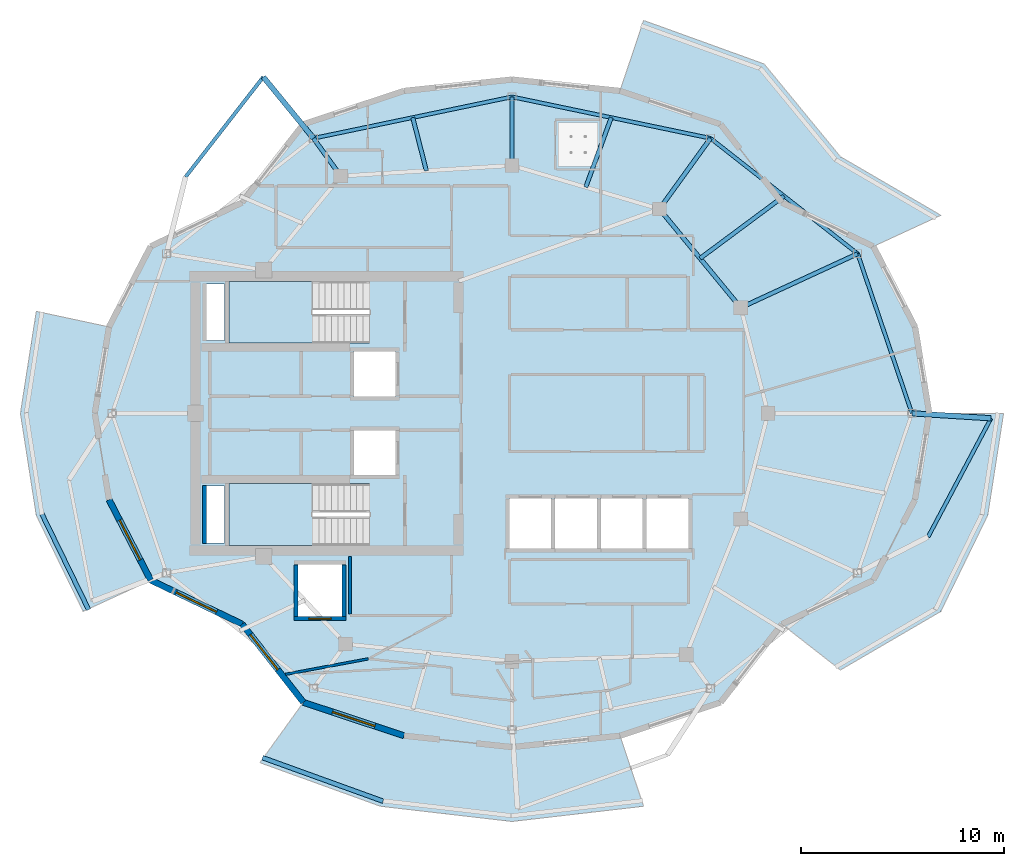
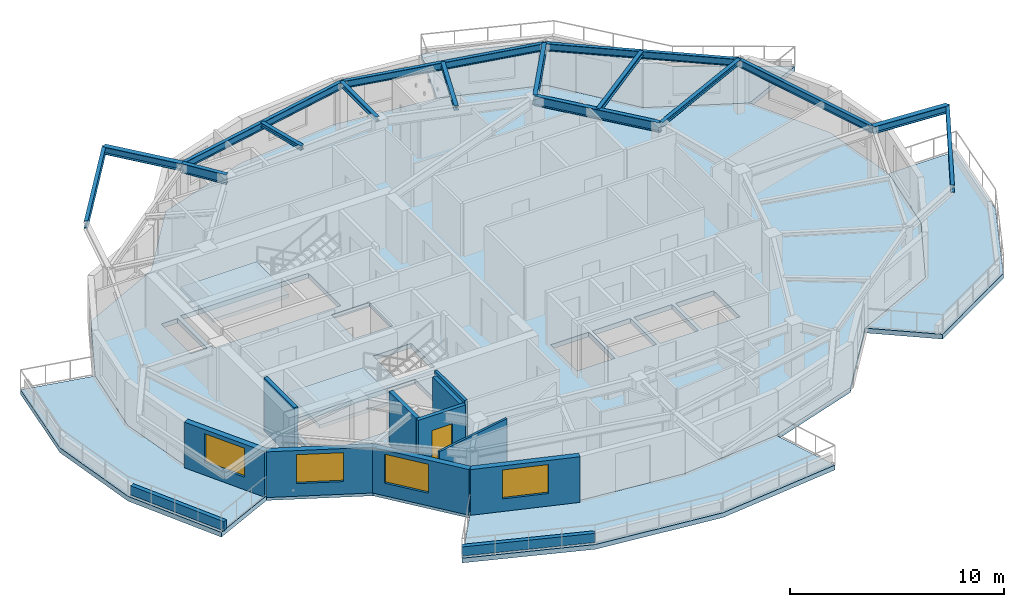
# One storey, part 2 of 11: 16 beams, 12 walls, 7 slabs, 4 windows, 1 door, 5 openings, 2 elements without a shape of their own.
"""IFC4 building model written with IfcOpenShell, lengths in metres."""

from ifc_helpers import new_model, si_unit, direction, frame, frame_2d, origin, origin_2d, place, context, subcontext, project, spatial, polyline, rectangle, i_section, outline, extrude, material, layer, layer_set, material_profile, profile_set, type_object, element, fill, aggregate, save


model = new_model("IFC4")

# Units and contexts
model_context = context("Model", 3, precision=1e-05, world=origin(), true_north=direction((0.0, 1.0)))
body_context = subcontext(model_context, "Body", "Model", "MODEL_VIEW")
ifc_project = project(units=[si_unit("LENGTHUNIT", "METRE"), si_unit("AREAUNIT", "SQUARE_METRE"), si_unit("VOLUMEUNIT", "CUBIC_METRE"), si_unit("PLANEANGLEUNIT", "RADIAN"), si_unit("MASSUNIT", "GRAM", prefix="KILO")], contexts=[model_context])

# Site, building, storey
site_placement = place(None, origin())
site = spatial("IfcSite", under=ifc_project, at=site_placement, CompositionType="ELEMENT")
building_placement = place(site_placement, origin())
building = spatial("IfcBuilding", under=site, at=building_placement, Name="Kolvaren Gate Tower and Convention Centre", CompositionType="ELEMENT")
storey_placement = place(building_placement, frame((0.0, 0.0, 269.0)))
storey = spatial("IfcBuildingStorey", under=building, at=storey_placement, Name="L73", CompositionType="ELEMENT", Elevation=269.0)

# Beams
ifc_material_1 = material(Name="Structural steel ASTM A992 Grade 345 MPa", Category="steel")
ifc_material_profile_1 = material_profile(ifc_material_1, i_section(OverallWidth=0.260009765625, OverallDepth=0.419921875, WebThickness=0.013427734375, FlangeThickness=0.0224609375, at=origin_2d()), Name="W410X132")
ifc_profile_set_1 = profile_set([ifc_material_profile_1], Name="Structural steel ASTM A992 Grade 345 MPa")
beam_type_1 = type_object("IfcBeamType", Name="STR-BM-W410X132", PredefinedType="BEAM", material=ifc_profile_set_1)
beam_1_placement = place(storey_placement, frame((20.356689453125, 40.53515625, 2.820556640625), z_axis=(-0.633305964055, 0.773901515629, 0.0), x_axis=(-0.773901515629, -0.633305964055, 0.0)))
element("IfcBeam", 1, at=beam_1_placement, inside=storey, type_object=beam_type_1, Name="Tower L74 Planted Balcony Outrigger Cantilever BC-1A", PredefinedType="BEAM", context=body_context, shape_type="SweptSolid", body=[
    extrude(i_section(OverallWidth=0.260009765625, OverallDepth=0.419921875, WebThickness=0.013427734375, FlangeThickness=0.0224609375, at=origin_2d()), origin(), (0.0, 0.0, 1.0), 3.900146484375),
])
beam_2_placement = place(storey_placement, frame((49.80615234375, 27.0, 2.820556640625), z_axis=(0.998046484143, -0.062475719198, 0.0), x_axis=(0.062475719198, 0.998046484143, 0.0)))
element("IfcBeam", 2, at=beam_2_placement, inside=storey, type_object=beam_type_1, Name="Tower L74 Planted Balcony Outrigger Cantilever BC-4B", PredefinedType="BEAM", context=body_context, shape_type="SweptSolid", body=[
    extrude(i_section(OverallWidth=0.260009765625, OverallDepth=0.419921875, WebThickness=0.013427734375, FlangeThickness=0.0224609375, at=origin_2d()), origin(), (0.0, 0.0, 1.0), 3.89990234375),
])
ifc_material_profile_2 = material_profile(ifc_material_1, i_section(OverallWidth=0.2119140625, OverallDepth=0.5439453125, WebThickness=0.01318359375, FlangeThickness=0.021240234375, at=origin_2d()), Name="W530X123")
ifc_profile_set_2 = profile_set([ifc_material_profile_2], Name="Structural steel ASTM A992 Grade 345 MPa")
beam_type_2 = type_object("IfcBeamType", Name="STR-BM-W530X123", PredefinedType="BEAM", material=ifc_profile_set_2)
beam_3_placement = place(storey_placement, frame((41.382080078125, 32.199462890625, 2.758056640625), z_axis=(-0.635884066011, 0.771784590798, 0.0), x_axis=(-0.771784590798, -0.635884066011, 0.0)))
element("IfcBeam", 3, at=beam_3_placement, inside=storey, type_object=beam_type_2, Name="Tower L73 Primary Ring Girder G-02", PredefinedType="BEAM", context=body_context, shape_type="SweptSolid", body=[
    extrude(i_section(OverallWidth=0.2119140625, OverallDepth=0.5439453125, WebThickness=0.01318359375, FlangeThickness=0.021240234375, at=origin_2d()), origin(), (0.0, 0.0, 1.0), 6.291259765625),
])
beam_4_placement = place(storey_placement, frame((37.381591796875, 37.054931640625, 2.758056640625), z_axis=(0.585218448818, 0.810875679228, 0.0), x_axis=(-0.810875679228, 0.585218448818, 0.0)))
element("IfcBeam", 4, at=beam_4_placement, inside=storey, type_object=beam_type_2, Name="Tower L73 Radial Floor Girder RB-03", PredefinedType="BEAM", context=body_context, shape_type="SweptSolid", body=[
    extrude(i_section(OverallWidth=0.2119140625, OverallDepth=0.5439453125, WebThickness=0.01318359375, FlangeThickness=0.021240234375, at=origin_2d()), origin(), (0.0, 0.0, 1.0), 4.2919921875),
])
beam_5_placement = place(storey_placement, frame((21.697998046875, 38.6767578125, 2.758056640625), z_axis=(-0.585241610653, 0.810858962558, 0.0), x_axis=(-0.810858962558, -0.585241610653, 0.0)))
element("IfcBeam", 5, at=beam_5_placement, inside=storey, type_object=beam_type_2, Name="Tower L73 Radial Floor Girder RB-05", PredefinedType="BEAM", context=body_context, shape_type="SweptSolid", body=[
    extrude(i_section(OverallWidth=0.2119140625, OverallDepth=0.5439453125, WebThickness=0.01318359375, FlangeThickness=0.021240234375, at=origin_2d()), origin(), (0.0, 0.0, 1.0), 2.2919921875),
])
ifc_material_profile_3 = material_profile(ifc_material_1, i_section(OverallWidth=0.202880859375, OverallDepth=0.251953125, WebThickness=0.008056640625, FlangeThickness=0.013427734375, at=origin_2d()), Name="W250X58")
ifc_profile_set_3 = profile_set([ifc_material_profile_3], Name="Structural steel ASTM A992 Grade 345 MPa")
beam_type_3 = type_object("IfcBeamType", Name="STR-JS-W250X58", PredefinedType="JOIST", material=ifc_profile_set_3)
beam_6_placement = place(storey_placement, frame((41.382080078125, 32.199462890625, 2.904052734375), z_axis=(0.907833025456, 0.41933184698, 0.0), x_axis=(-0.41933184698, 0.907833025456, 0.0)))
element("IfcBeam", 6, at=beam_6_placement, inside=storey, type_object=beam_type_3, Name="Tower L73 Radial Floor Girder RB-02", PredefinedType="JOIST", context=body_context, shape_type="SweptSolid", body=[
    extrude(i_section(OverallWidth=0.202880859375, OverallDepth=0.251953125, WebThickness=0.008056640625, FlangeThickness=0.013427734375, at=origin_2d()), origin(), (0.0, 0.0, 1.0), 6.335693359375),
])
beam_7_placement = place(storey_placement, frame((30.125, 39.199951171875, 2.904052734375), z_axis=(0.0, 1.0, 0.0), x_axis=(-1.0, 0.0, 0.0)))
element("IfcBeam", 7, at=beam_7_placement, inside=storey, type_object=beam_type_3, Name="Tower L73 Radial Floor Girder RB-04", PredefinedType="JOIST", context=body_context, shape_type="SweptSolid", body=[
    extrude(i_section(OverallWidth=0.202880859375, OverallDepth=0.251953125, WebThickness=0.008056640625, FlangeThickness=0.013427734375, at=origin_2d()), origin(), (0.0, 0.0, 1.0), 3.375),
])
beam_8_placement = place(storey_placement, frame((39.3818359375, 34.627197265625, 2.904052734375), z_axis=(0.802797696216, 0.596251506455, 0.0), x_axis=(-0.596251506455, 0.802797696216, 0.0)))
element("IfcBeam", 8, at=beam_8_placement, inside=storey, type_object=beam_type_3, Name="Tower L73 Secondary Composite Floor Joist J-02.1", PredefinedType="JOIST", context=body_context, shape_type="SweptSolid", body=[
    extrude(i_section(OverallWidth=0.202880859375, OverallDepth=0.251953125, WebThickness=0.008056640625, FlangeThickness=0.013427734375, at=origin_2d()), origin(), (0.0, 0.0, 1.0), 5.146484375),
])
beam_9_placement = place(storey_placement, frame((33.75341796875, 38.12744140625, 2.904052734375), z_axis=(0.343959865764, 0.938984350638, 0.0), x_axis=(-0.938984350638, 0.343959865764, 0.0)))
element("IfcBeam", 9, at=beam_9_placement, inside=storey, type_object=beam_type_3, Name="Tower L73 Secondary Composite Floor Joist J-03.1", PredefinedType="JOIST", context=body_context, shape_type="SweptSolid", body=[
    extrude(i_section(OverallWidth=0.202880859375, OverallDepth=0.251953125, WebThickness=0.008056640625, FlangeThickness=0.013427734375, at=origin_2d()), origin(), (0.0, 0.0, 1.0), 3.650390625),
])
beam_10_placement = place(storey_placement, frame((25.91162109375, 38.938232421875, 2.904052734375), z_axis=(-0.248251414505, 0.968695635995, 0.0), x_axis=(-0.968695635995, -0.248251414505, 0.0)))
element("IfcBeam", 10, at=beam_10_placement, inside=storey, type_object=beam_type_3, Name="Tower L73 Secondary Composite Floor Joist J-04.1", PredefinedType="JOIST", context=body_context, shape_type="SweptSolid", body=[
    extrude(i_section(OverallWidth=0.202880859375, OverallDepth=0.251953125, WebThickness=0.008056640625, FlangeThickness=0.013427734375, at=origin_2d()), origin(), (0.0, 0.0, 1.0), 2.701416015625),
])
ifc_material_profile_4 = material_profile(ifc_material_1, i_section(OverallWidth=0.180908203125, OverallDepth=0.4169921875, WebThickness=0.010986328125, FlangeThickness=0.018310546875, at=origin_2d()), Name="W410X85")
ifc_profile_set_4 = profile_set([ifc_material_profile_4], Name="Structural steel ASTM A992 Grade 345 MPa")
beam_type_4 = type_object("IfcBeamType", Name="STR-SP-W410X85", PredefinedType="SPANDREL", material=ifc_profile_set_4)
beam_11_placement = place(storey_placement, frame((49.80615234375, 27.0, 2.821533203125), z_axis=(-0.322038282171, 0.946726647357, 0.0), x_axis=(-0.946726647357, -0.322038282171, 0.0)))
element("IfcBeam", 11, at=beam_11_placement, inside=storey, type_object=beam_type_4, Name="Tower L73 Perimeter Spandrel Beam SP-01", PredefinedType="SPANDREL", context=body_context, shape_type="SweptSolid", body=[
    extrude(i_section(OverallWidth=0.180908203125, OverallDepth=0.4169921875, WebThickness=0.010986328125, FlangeThickness=0.018310546875, at=origin_2d()), origin(), (0.0, 0.0, 1.0), 8.29833984375),
])
beam_12_placement = place(storey_placement, frame((47.1337890625, 34.856201171875, 2.821533203125), z_axis=(-0.786845586039, 0.61714991998, 0.0), x_axis=(-0.61714991998, -0.786845586039, 0.0)))
element("IfcBeam", 12, at=beam_12_placement, inside=storey, type_object=beam_type_4, Name="Tower L73 Perimeter Spandrel Beam SP-02", PredefinedType="SPANDREL", context=body_context, shape_type="SweptSolid", body=[
    extrude(i_section(OverallWidth=0.180908203125, OverallDepth=0.4169921875, WebThickness=0.010986328125, FlangeThickness=0.018310546875, at=origin_2d()), origin(), (0.0, 0.0, 1.0), 9.201904296875),
])
for number, where, z_axis, x_axis, name in (
    (13, (39.893310546875, 40.53515625, 2.821533203125), (-0.978885668593, 0.204408531681, 0.0), (-0.204408531681, -0.978885668593, 0.0), "Tower L73 Perimeter Spandrel Beam SP-03"),
    (14, (30.125, 42.574951171875, 2.821533203125), (-0.978885668593, -0.204408531681, 0.0), (0.204408531681, -0.978885668593, 0.0), "Tower L73 Perimeter Spandrel Beam SP-04"),
):
    element("IfcBeam", number, at=place(storey_placement, frame(where, z_axis=z_axis, x_axis=x_axis)), inside=storey, type_object=beam_type_4, Name=name, PredefinedType="SPANDREL", context=body_context, shape_type="SweptSolid", body=[
        extrude(i_section(OverallWidth=0.180908203125, OverallDepth=0.4169921875, WebThickness=0.010986328125, FlangeThickness=0.018310546875, at=origin_2d()), origin(), (0.0, 0.0, 1.0), 9.97900390625),
    ])
beam_13_placement = place(storey_placement, frame((17.88671875, 43.553466796875, 2.822021484375), z_axis=(-0.613992191964, -0.7893120981, 0.0), x_axis=(0.7893120981, -0.613992191964, 0.0)))
element("IfcBeam", 15, at=beam_13_placement, inside=storey, type_object=beam_type_4, Name="Tower L74 Planted Balcony Header Tie Beam BT-1", PredefinedType="SPANDREL", context=body_context, shape_type="SweptSolid", body=[
    extrude(i_section(OverallWidth=0.180908203125, OverallDepth=0.4169921875, WebThickness=0.010986328125, FlangeThickness=0.018310546875, at=origin_2d()), origin(), (0.0, 0.0, 1.0), 6.22607421875),
])
beam_14_placement = place(storey_placement, frame((50.60400390625, 20.923828125, 2.822021484375), z_axis=(0.468677532084, 0.883369328718, 0.0), x_axis=(-0.883369328718, 0.468677532084, 0.0)))
element("IfcBeam", 16, at=beam_14_placement, inside=storey, type_object=beam_type_4, Name="Tower L74 Planted Balcony Header Tie Beam BT-4", PredefinedType="SPANDREL", context=body_context, shape_type="SweptSolid", body=[
    extrude(i_section(OverallWidth=0.180908203125, OverallDepth=0.4169921875, WebThickness=0.010986328125, FlangeThickness=0.018310546875, at=origin_2d()), origin(), (0.0, 0.0, 1.0), 6.6025390625),
])

# Slabs
ifc_material_2 = material(Name="Concrete C50/60", Category="concrete")
ifc_layer_1 = layer(ifc_material_2, 0.27001953125)
ifc_layer_set_1 = layer_set([ifc_layer_1], Name="Concrete C50/60")
slab_type_1 = type_object("IfcSlabType", Name="STR-SL-BALC-270", PredefinedType="FLOOR", material=ifc_layer_set_1)
slab_1_placement = place(storey_placement, frame((0.0, 0.0, -0.27001953125)))
element("IfcSlab", 17, at=slab_1_placement, inside=storey, type_object=slab_type_1, Name="Tower L73 Planted Balcony Terrace Slab 1 (North)", PredefinedType="FLOOR", context=body_context, shape_type="SweptSolid", body=[
    extrude(outline(polyline([(47.905517578125, 35.21240234375), (43.40380859375, 37.37548828125), (40.390625, 41.224609375), (35.43896484375, 42.865234375), (36.601318359375, 46.335693359375), (42.532470703125, 44.1923828125), (46.287841796875, 39.62890625), (51.228271484375, 36.747314453125), (47.905517578125, 35.21240234375)])), origin(), (0.0, 0.0, 1.0), 0.27001953125),
])
slab_2_placement = place(storey_placement, frame((0.0, 0.0, -0.27001953125)))
element("IfcSlab", 18, at=slab_2_placement, inside=storey, type_object=slab_type_1, Name="Tower L73 Planted Balcony Terrace Slab 2 (West)", PredefinedType="FLOOR", context=body_context, shape_type="SweptSolid", body=[
    extrude(outline(polyline([(10.293212890625, 31.251220703125), (9.59375, 27.0), (10.293212890625, 22.748779296875), (12.344482421875, 18.78759765625), (9.021728515625, 17.252685546875), (6.714599609375, 21.981689453125), (5.933837890625, 27.0), (6.714599609375, 32.018310546875), (10.293212890625, 31.251220703125)])), origin(), (0.0, 0.0, 1.0), 0.27001953125),
])
slab_3_placement = place(storey_placement, frame((0.0, 0.0, -0.27001953125)))
element("IfcSlab", 19, at=slab_3_placement, inside=storey, type_object=slab_type_1, Name="Tower L73 Planted Balcony Terrace Slab 3 (South)", PredefinedType="FLOOR", context=body_context, shape_type="SweptSolid", body=[
    extrude(outline(polyline([(19.859375, 12.775390625), (24.81103515625, 11.134765625), (30.125, 10.574951171875), (35.43896484375, 11.134765625), (36.601318359375, 7.664306640625), (30.125, 6.9150390625), (23.648681640625, 7.664306640625), (17.717529296875, 9.8076171875), (19.859375, 12.775390625)])), origin(), (0.0, 0.0, 1.0), 0.27001953125),
])
slab_4_placement = place(storey_placement, frame((0.0, 0.0, -0.27001953125)))
element("IfcSlab", 20, at=slab_4_placement, inside=storey, type_object=slab_type_1, Name="Tower L73 Planted Balcony Terrace Slab 4 (East)", PredefinedType="FLOOR", context=body_context, shape_type="SweptSolid", body=[
    extrude(outline(polyline([(43.40380859375, 16.62451171875), (47.905517578125, 18.78759765625), (49.956787109375, 22.748779296875), (50.65625, 27.0), (54.316162109375, 27.0), (53.535400390625, 21.981689453125), (51.228271484375, 17.252685546875), (46.287841796875, 14.37109375), (43.40380859375, 16.62451171875)])), origin(), (0.0, 0.0, 1.0), 0.27001953125),
])
ifc_material_3 = material(Name="Concrete C40/50", Category="concrete")
ifc_layer_2 = layer(ifc_material_3, 0.27001953125)
ifc_layer_set_2 = layer_set([ifc_layer_2], Name="Concrete C40/50")
slab_type_2 = type_object("IfcSlabType", Name="STR-SL-FLR-270", PredefinedType="FLOOR", material=ifc_layer_set_2)
slab_5_placement = place(storey_placement, frame((0.0, 0.0, -0.27001953125)))
element("IfcSlab", 21, at=slab_5_placement, inside=storey, type_object=slab_type_2, Name="Tower L73 Structural Floor Slab", PredefinedType="FLOOR", context=body_context, shape_type="SweptSolid", body=[
    extrude(outline(polyline([(50.65625, 27.0), (49.95654296875, 31.251220703125), (47.905517578125, 35.21240234375), (43.40380859375, 37.37548828125), (40.390625, 41.224609375), (35.43896484375, 42.865234375), (30.125, 43.425048828125), (24.81103515625, 42.865234375), (19.859375, 41.224609375), (16.84619140625, 37.37548828125), (12.344482421875, 35.21240234375), (10.29345703125, 31.251220703125), (9.59375, 27.0), (10.29345703125, 22.748779296875), (12.344482421875, 18.78759765625), (16.84619140625, 16.62451171875), (19.859375, 12.775390625), (24.81103515625, 11.134765625), (30.125, 10.574951171875), (35.43896484375, 11.134765625), (40.390625, 12.775390625), (43.40380859375, 16.62451171875), (47.905517578125, 18.78759765625), (49.95654296875, 22.748779296875), (50.65625, 27.0)]), holes=[polyline([(36.75, 20.35009765625), (36.75, 22.800048828125), (38.800048828125, 22.800048828125), (38.800048828125, 20.35009765625), (36.75, 20.35009765625)]), polyline([(36.550048828125, 20.35009765625), (34.5, 20.35009765625), (34.5, 22.800048828125), (36.550048828125, 22.800048828125), (36.550048828125, 20.35009765625)]), polyline([(32.25, 20.35009765625), (32.25, 22.800048828125), (34.300048828125, 22.800048828125), (34.300048828125, 20.35009765625), (32.25, 20.35009765625)]), polyline([(30.0, 20.35009765625), (30.0, 22.800048828125), (32.050048828125, 22.800048828125), (32.050048828125, 20.35009765625), (30.0, 20.35009765625)]), polyline([(22.35009765625, 23.9599609375), (22.35009765625, 26.159912109375), (24.39990234375, 26.159912109375), (24.39990234375, 23.9599609375), (22.35009765625, 23.9599609375)]), polyline([(22.35009765625, 27.840087890625), (22.35009765625, 30.0400390625), (24.39990234375, 30.0400390625), (24.39990234375, 27.840087890625), (22.35009765625, 27.840087890625)]), polyline([(16.199951171875, 23.5400390625), (23.10009765625, 23.5400390625), (23.10009765625, 20.5), (16.199951171875, 20.5), (16.199951171875, 23.5400390625)]), polyline([(16.199951171875, 33.5), (23.10009765625, 33.5), (23.10009765625, 30.4599609375), (16.199951171875, 30.4599609375), (16.199951171875, 33.5)]), polyline([(21.75, 17.0), (19.60009765625, 17.0), (19.60009765625, 19.550048828125), (21.75, 19.550048828125), (21.75, 17.0)]), polyline([(15.080078125, 30.580078125), (15.080078125, 33.3701171875), (15.969970703125, 33.3701171875), (15.969970703125, 30.580078125), (15.080078125, 30.580078125)]), polyline([(15.969970703125, 20.6298828125), (15.080078125, 20.6298828125), (15.080078125, 23.419921875), (15.969970703125, 23.419921875), (15.969970703125, 20.6298828125)])]), origin(), (0.0, 0.0, 1.0), 0.27001953125),
])

# Stair, slab
stair_type = type_object("IfcStairType", Name="STR-STAIR-CORE", PredefinedType="HALF_TURN_STAIR", material=ifc_material_2)
stair_1_placement = place(storey_placement, origin())
stair_1 = element("IfcStair", 22, at=stair_1_placement, inside=storey, type_object=stair_type, Name="L73 Tower North Exit Stair ST-T1", PredefinedType="HALF_TURN_STAIR")
ifc_layer_3 = layer(ifc_material_2, 0.199951171875)
ifc_layer_set_3 = layer_set([ifc_layer_3], Name="Concrete C50/60")
slab_type_3 = type_object("IfcSlabType", Name="STR-SL-LAND-200", PredefinedType="LANDING", material=ifc_layer_set_3)
slab_6_placement = place(storey_placement, frame((0.0, 0.0, 1.449951171875)))
slab_6 = element("IfcSlab", 23, at=slab_6_placement, type_object=slab_type_3, Name="ST-T1 landing 1", PredefinedType="LANDING", context=body_context, shape_type="SweptSolid", body=[
    extrude(outline(polyline([(20.31005859375, 33.5), (16.199951171875, 33.5), (16.199951171875, 30.4599609375), (20.31005859375, 30.4599609375), (20.31005859375, 33.5)])), origin(), (0.0, 0.0, 1.0), 0.199951171875),
])
aggregate(stair_1, [slab_6])

stair_2_placement = place(storey_placement, origin())
stair_2 = element("IfcStair", 24, at=stair_2_placement, inside=storey, type_object=stair_type, Name="L73 Tower South Exit Stair ST-T2", PredefinedType="HALF_TURN_STAIR")
slab_7_placement = place(storey_placement, frame((0.0, 0.0, 1.449951171875)))
slab_7 = element("IfcSlab", 25, at=slab_7_placement, type_object=slab_type_3, Name="ST-T2 landing 1", PredefinedType="LANDING", context=body_context, shape_type="SweptSolid", body=[
    extrude(outline(polyline([(20.31005859375, 23.5400390625), (16.199951171875, 23.5400390625), (16.199951171875, 20.5), (20.31005859375, 20.5), (20.31005859375, 23.5400390625)])), origin(), (0.0, 0.0, 1.0), 0.199951171875),
])
aggregate(stair_2, [slab_7])

# Walls
ifc_material_4 = material(Name="Fire-Rated Acoustic Gypsum Stud Partition", Category="gypsum")
ifc_layer_4 = layer(ifc_material_4, 0.1201171875)
ifc_layer_set_4 = layer_set([ifc_layer_4], Name="Fire-Rated Acoustic Gypsum Stud Partition")
wall_type_1 = type_object("IfcWallType", Name="ARCH-WL-PART-120", PredefinedType="PARTITIONING", material=ifc_layer_set_4)
wall_1_placement = place(storey_placement, frame((18.972412109375, 14.155029296875, 0.0), z_axis=(0.0, 0.0, 1.0), x_axis=(0.982939995972, 0.183926518801, 0.0)))
element("IfcWall", 26, at=wall_1_placement, inside=storey, type_object=wall_type_1, Name="Interior Partition WL-L73-INT-050", PredefinedType="PARTITIONING", context=body_context, shape_type="SweptSolid", body=[
    extrude(rectangle(XDim=4.1533203125, YDim=0.1201171875, at=frame_2d((2.07666015625, 0.0))), origin(), (0.0, 0.0, 1.0), 3.030029296875),
])
ifc_material_5 = material(Name="Piedmont Cream Honed Limestone Cladding", Category="masonry")
ifc_layer_5 = layer(ifc_material_5, 0.219970703125)
ifc_layer_set_5 = layer_set([ifc_layer_5], Name="Piedmont Cream Honed Limestone Cladding")
wall_type_2 = type_object("IfcWallType", Name="ARCH-WL-PLANTER-220", PredefinedType="PARAPET", material=ifc_layer_set_5)
wall_2_placement = place(storey_placement, frame((6.98046875, 22.070068359375, 0.0), z_axis=(0.0, 0.0, 1.0), x_axis=(0.438469339137, -0.898746148051, 0.0)))
element("IfcWall", 27, at=wall_2_placement, inside=storey, type_object=wall_type_2, Name="Vertical-Forest Balcony Stone Planter Kerb PK-L73-2.3", PredefinedType="PARAPET", context=body_context, shape_type="SweptSolid", body=[
    extrude(rectangle(XDim=5.26171875, YDim=0.219970703125, at=frame_2d((2.630859375, 0.0))), origin(), (0.0, 0.0, 1.0), 0.52001953125),
])
wall_3_placement = place(storey_placement, frame((17.84619140625, 10.056396484375, 0.0), z_axis=(0.0, 0.0, 1.0), x_axis=(0.940465240036, -0.339889882585, 0.0)))
element("IfcWall", 28, at=wall_3_placement, inside=storey, type_object=wall_type_2, Name="Vertical-Forest Balcony Stone Planter Kerb PK-L73-3.1", PredefinedType="PARAPET", context=body_context, shape_type="SweptSolid", body=[
    extrude(rectangle(XDim=6.306640625, YDim=0.219970703125, at=frame_2d((3.1533203125, 0.0))), origin(), (0.0, 0.0, 1.0), 0.52001953125),
])

# Wall, opening, door
ifc_material_6 = material(Name="Autoclaved Aerated Masonry Blockwork Class 4 (4.0 MPa)", Category="masonry")
ifc_layer_6 = layer(ifc_material_6, 0.199951171875)
ifc_layer_set_6 = layer_set([ifc_layer_6], Name="Autoclaved Aerated Masonry Blockwork Class 4 (4.0 MPa)")
wall_type_3 = type_object("IfcWallType", Name="ARCH-WL-SHAFT-200", PredefinedType="SOLIDWALL", material=ifc_layer_set_6)
wall_4_placement = place(storey_placement, frame((19.39990234375, 16.89990234375, 0.0), z_axis=(0.0, 0.0, 1.0), x_axis=(1.0, 0.0, 0.0)))
wall_4 = element("IfcWall", 29, at=wall_4_placement, inside=storey, type_object=wall_type_3, Name="Elevator SV-01 L73 Fire Shaft Wall S", PredefinedType="SOLIDWALL", context=body_context, shape_type="SweptSolid", body=[
    extrude(rectangle(XDim=2.550048828125, YDim=0.199951171875, at=frame_2d((1.27490234375, 0.0))), origin(), (0.0, 0.0, 1.0), 3.030029296875),
])
opening_1_placement = place(wall_4_placement, frame((0.72509765625, 0.0, 0.0)))
opening_1 = element("IfcOpeningElement", 30, at=opening_1_placement, cuts=wall_4, Name="Opening LD", PredefinedType="OPENING", context=body_context, shape_type="SweptSolid", body=[
    extrude(rectangle(XDim=1.10009765625, YDim=2.199951171875, at=frame_2d((0.550048828125, 1.10009765625))), frame((0.0, 0.10986328125, 0.0), z_axis=(0.0, -1.0, 0.0), x_axis=(1.0, 0.0, 0.0)), (0.0, 0.0, 1.0), 0.219970703125),
])
ifc_material_7 = material(Name="Brushed Stainless Steel Grade 316L", Category="steel")
door_type = type_object("IfcDoorType", Name="ARCH-DR-LIFT-1100", OperationType="SLIDING_TO_LEFT", PredefinedType="DOOR", material=ifc_material_7)
door_placement = place(opening_1_placement, origin())
door = element("IfcDoor", 31, at=door_placement, inside=storey, type_object=door_type, Name="Elevator SV-01 L73 Sliding Landing Door", OperationType="SLIDING_TO_LEFT", OverallHeight=2.199951171875, OverallWidth=1.10009765625, PredefinedType="DOOR", context=body_context, shape_type="SweptSolid", body=[
    extrude(rectangle(XDim=1.10009765625, YDim=2.199951171875, at=frame_2d((0.550048828125, 1.10009765625))), frame((0.0, 0.02490234375, 0.0), z_axis=(0.0, -1.0, 0.0), x_axis=(1.0, 0.0, 0.0)), (0.0, 0.0, 1.0), 0.050048828125),
])
fill(opening_1, door)

# Walls
for number, where, z_axis, x_axis, name in (
    (32, (19.5, 17.010009765625, 0.0), (0.0, 0.0, 1.0), (0.0, 1.0, 0.0), "Elevator SV-01 L73 Fire Shaft Wall W"),
    (33, (21.85009765625, 17.010009765625, 0.0), (0.0, 0.0, 1.0), (0.0, 1.0, 0.0), "Elevator SV-01 L73 Fire Shaft Wall E"),
):
    element("IfcWall", number, at=place(storey_placement, frame(where, z_axis=z_axis, x_axis=x_axis)), inside=storey, type_object=wall_type_3, Name=name, PredefinedType="SOLIDWALL", context=body_context, shape_type="SweptSolid", body=[
        extrude(rectangle(XDim=2.530029296875, YDim=0.199951171875, at=frame_2d((1.26513671875, 0.0))), origin(), (0.0, 0.0, 1.0), 3.030029296875),
    ])
wall_5_placement = place(storey_placement, frame((14.989990234375, 20.60009765625, 0.0), z_axis=(0.0, 0.0, 1.0), x_axis=(0.0, 1.0, 0.0)))
element("IfcWall", 34, at=wall_5_placement, inside=storey, type_object=wall_type_3, Name="Vertical Shaft MPR L73 EI-120 Enclosure Wall W", PredefinedType="SOLIDWALL", context=body_context, shape_type="SweptSolid", body=[
    extrude(rectangle(XDim=2.849853515625, YDim=0.199951171875, at=frame_2d((1.4248046875, 0.0))), origin(), (0.0, 0.0, 1.0), 3.030029296875),
])

# Wall, opening, window
ifc_layer_7 = layer(ifc_material_5, 0.300048828125)
ifc_layer_set_7 = layer_set([ifc_layer_7], Name="Piedmont Cream Honed Limestone Cladding")
wall_type_4 = type_object("IfcWallType", Name="ARCH-WL-STONE-300", PredefinedType="SOLIDWALL", material=ifc_layer_set_7)
wall_6_placement = place(storey_placement, frame((10.29345703125, 22.748779296875, 0.0), z_axis=(0.0, 0.0, 1.0), x_axis=(0.459801070243, -0.888021945564, 0.0)))
wall_6 = element("IfcWall", 35, at=wall_6_placement, inside=storey, type_object=wall_type_4, Name="Tower L73 Honed Stone Spandrel Wall EW-13", PredefinedType="SOLIDWALL", context=body_context, shape_type="SweptSolid", body=[
    extrude(rectangle(XDim=4.460693359375, YDim=0.300048828125, at=frame_2d((2.23046875, 0.0))), origin(), (0.0, 0.0, 1.0), 2.60498046875),
])
opening_2_placement = place(wall_6_placement, frame((1.1298828125, 0.0, 0.719970703125)))
opening_2 = element("IfcOpeningElement", 36, at=opening_2_placement, cuts=wall_6, Name="Opening W-03", PredefinedType="OPENING", context=body_context, shape_type="SweptSolid", body=[
    extrude(rectangle(XDim=2.199951171875, YDim=1.64990234375, at=frame_2d((1.10009765625, 0.824951171875))), frame((0.0, 0.159912109375, 0.0), z_axis=(0.0, -1.0, 0.0), x_axis=(1.0, 0.0, 0.0)), (0.0, 0.0, 1.0), 0.320068359375),
])
ifc_material_8 = material(Name="Low-E Triple Insulated Glazing Unit 44 mm", Category="glass")
window_type = type_object("IfcWindowType", Name="ARCH-WN-RES-2200", PartitioningType="SINGLE_PANEL", PredefinedType="WINDOW", material=ifc_material_8)
window_1_placement = place(opening_2_placement, origin())
window_1 = element("IfcWindow", 37, at=window_1_placement, inside=storey, type_object=window_type, Name="Tower L73 Punched Stone Facade Window W-13", OverallHeight=1.64990234375, OverallWidth=2.199951171875, PartitioningType="SINGLE_PANEL", PredefinedType="WINDOW", context=body_context, shape_type="SweptSolid", body=[
    extrude(rectangle(XDim=2.199951171875, YDim=1.64990234375, at=frame_2d((1.10009765625, 0.824951171875))), frame((0.0, 0.030029296875, 0.0), z_axis=(0.0, -1.0, 0.0), x_axis=(1.0, 0.0, 0.0)), (0.0, 0.0, 1.0), 0.06005859375),
])
fill(opening_2, window_1)

wall_7_placement = place(storey_placement, frame((12.344482421875, 18.78759765625, 0.0), z_axis=(0.0, 0.0, 1.0), x_axis=(0.901346013132, -0.433099716706, 0.0)))
wall_7 = element("IfcWall", 38, at=wall_7_placement, inside=storey, type_object=wall_type_4, Name="Tower L73 Honed Stone Spandrel Wall EW-14", PredefinedType="SOLIDWALL", context=body_context, shape_type="SweptSolid", body=[
    extrude(rectangle(XDim=4.994384765625, YDim=0.300048828125, at=frame_2d((2.4970703125, 0.0))), origin(), (0.0, 0.0, 1.0), 2.60498046875),
])
opening_3_placement = place(wall_7_placement, frame((1.39697265625, 0.0, 0.719970703125)))
opening_3 = element("IfcOpeningElement", 39, at=opening_3_placement, cuts=wall_7, Name="Opening W-03", PredefinedType="OPENING", context=body_context, shape_type="SweptSolid", body=[
    extrude(rectangle(XDim=2.199951171875, YDim=1.64990234375, at=frame_2d((1.10009765625, 0.824951171875))), frame((0.0, 0.159912109375, 0.0), z_axis=(0.0, -1.0, 0.0), x_axis=(1.0, 0.0, 0.0)), (0.0, 0.0, 1.0), 0.320068359375),
])
window_2_placement = place(opening_3_placement, origin())
window_2 = element("IfcWindow", 40, at=window_2_placement, inside=storey, type_object=window_type, Name="Tower L73 Punched Stone Facade Window W-14", OverallHeight=1.64990234375, OverallWidth=2.199951171875, PartitioningType="SINGLE_PANEL", PredefinedType="WINDOW", context=body_context, shape_type="SweptSolid", body=[
    extrude(rectangle(XDim=2.199951171875, YDim=1.64990234375, at=frame_2d((1.10009765625, 0.824951171875))), frame((0.0, 0.030029296875, 0.0), z_axis=(0.0, -1.0, 0.0), x_axis=(1.0, 0.0, 0.0)), (0.0, 0.0, 1.0), 0.06005859375),
])
fill(opening_3, window_2)

wall_8_placement = place(storey_placement, frame((16.84619140625, 16.62451171875, 0.0), z_axis=(0.0, 0.0, 1.0), x_axis=(0.616413297421, -0.78742278781, 0.0)))
wall_8 = element("IfcWall", 41, at=wall_8_placement, inside=storey, type_object=wall_type_4, Name="Tower L73 Honed Stone Spandrel Wall EW-15", PredefinedType="SOLIDWALL", context=body_context, shape_type="SweptSolid", body=[
    extrude(rectangle(XDim=4.88818359375, YDim=0.300048828125, at=frame_2d((2.444091796875, 0.0))), origin(), (0.0, 0.0, 1.0), 2.60498046875),
])
opening_4_placement = place(wall_8_placement, frame((0.64990234375, 0.0, 0.719970703125)))
opening_4 = element("IfcOpeningElement", 42, at=opening_4_placement, cuts=wall_8, Name="Opening W-03", PredefinedType="OPENING", context=body_context, shape_type="SweptSolid", body=[
    extrude(rectangle(XDim=2.199951171875, YDim=1.64990234375, at=frame_2d((1.10009765625, 0.824951171875))), frame((0.0, 0.159912109375, 0.0), z_axis=(0.0, -1.0, 0.0), x_axis=(1.0, 0.0, 0.0)), (0.0, 0.0, 1.0), 0.320068359375),
])
window_3_placement = place(opening_4_placement, origin())
window_3 = element("IfcWindow", 43, at=window_3_placement, inside=storey, type_object=window_type, Name="Tower L73 Punched Stone Facade Window W-15", OverallHeight=1.64990234375, OverallWidth=2.199951171875, PartitioningType="SINGLE_PANEL", PredefinedType="WINDOW", context=body_context, shape_type="SweptSolid", body=[
    extrude(rectangle(XDim=2.199951171875, YDim=1.64990234375, at=frame_2d((1.10009765625, 0.824951171875))), frame((0.0, 0.030029296875, 0.0), z_axis=(0.0, -1.0, 0.0), x_axis=(1.0, 0.0, 0.0)), (0.0, 0.0, 1.0), 0.06005859375),
])
fill(opening_4, window_3)

wall_9_placement = place(storey_placement, frame((19.859375, 12.775390625, 0.0), z_axis=(0.0, 0.0, 1.0), x_axis=(0.949252744709, -0.314514271001, 0.0)))
wall_9 = element("IfcWall", 44, at=wall_9_placement, inside=storey, type_object=wall_type_4, Name="Tower L73 Honed Stone Spandrel Wall EW-16", PredefinedType="SOLIDWALL", context=body_context, shape_type="SweptSolid", body=[
    extrude(rectangle(XDim=5.21630859375, YDim=0.300048828125, at=frame_2d((2.608154296875, 0.0))), origin(), (0.0, 0.0, 1.0), 2.60498046875),
])
opening_5_placement = place(wall_9_placement, frame((1.508056640625, 0.0, 0.719970703125)))
opening_5 = element("IfcOpeningElement", 45, at=opening_5_placement, cuts=wall_9, Name="Opening W-03", PredefinedType="OPENING", context=body_context, shape_type="SweptSolid", body=[
    extrude(rectangle(XDim=2.199951171875, YDim=1.64990234375, at=frame_2d((1.10009765625, 0.824951171875))), frame((0.0, 0.159912109375, 0.0), z_axis=(0.0, -1.0, 0.0), x_axis=(1.0, 0.0, 0.0)), (0.0, 0.0, 1.0), 0.320068359375),
])
window_4_placement = place(opening_5_placement, origin())
window_4 = element("IfcWindow", 46, at=window_4_placement, inside=storey, type_object=window_type, Name="Tower L73 Punched Stone Facade Window W-16", OverallHeight=1.64990234375, OverallWidth=2.199951171875, PartitioningType="SINGLE_PANEL", PredefinedType="WINDOW", context=body_context, shape_type="SweptSolid", body=[
    extrude(rectangle(XDim=2.199951171875, YDim=1.64990234375, at=frame_2d((1.10009765625, 0.824951171875))), frame((0.0, 0.030029296875, 0.0), z_axis=(0.0, -1.0, 0.0), x_axis=(1.0, 0.0, 0.0)), (0.0, 0.0, 1.0), 0.06005859375),
])
fill(opening_5, window_4)

# Wall
ifc_material_9 = material(Name="Moisture-Resistant Cement-Board Acoustic Partition", Category="gypsum")
ifc_layer_8 = layer(ifc_material_9, 0.14990234375)
ifc_layer_set_8 = layer_set([ifc_layer_8], Name="Moisture-Resistant Cement-Board Acoustic Partition")
wall_type_5 = type_object("IfcWallType", Name="ARCH-WL-WET-150", PredefinedType="PARTITIONING", material=ifc_layer_set_8)
wall_10_placement = place(storey_placement, frame((22.14990234375, 17.126953125, 0.0), z_axis=(0.0, 0.0, 1.0), x_axis=(0.0, 1.0, 0.0)))
element("IfcWall", 47, at=wall_10_placement, inside=storey, type_object=wall_type_5, Name="Interior Partition WL-L73-INT-010", PredefinedType="PARTITIONING", context=body_context, shape_type="SweptSolid", body=[
    extrude(rectangle(XDim=2.822998046875, YDim=0.14990234375, at=frame_2d((1.41162109375, 0.0))), origin(), (0.0, 0.0, 1.0), 3.030029296875),
])

save(model, "model.ifc")
